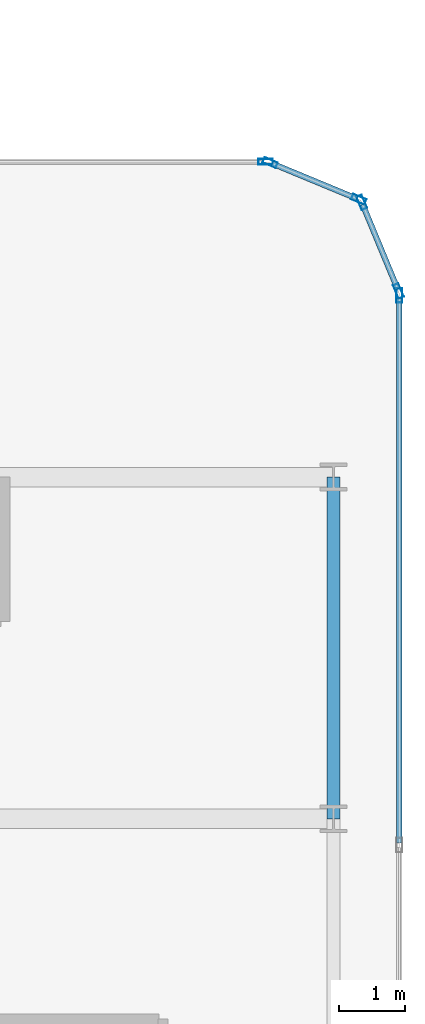
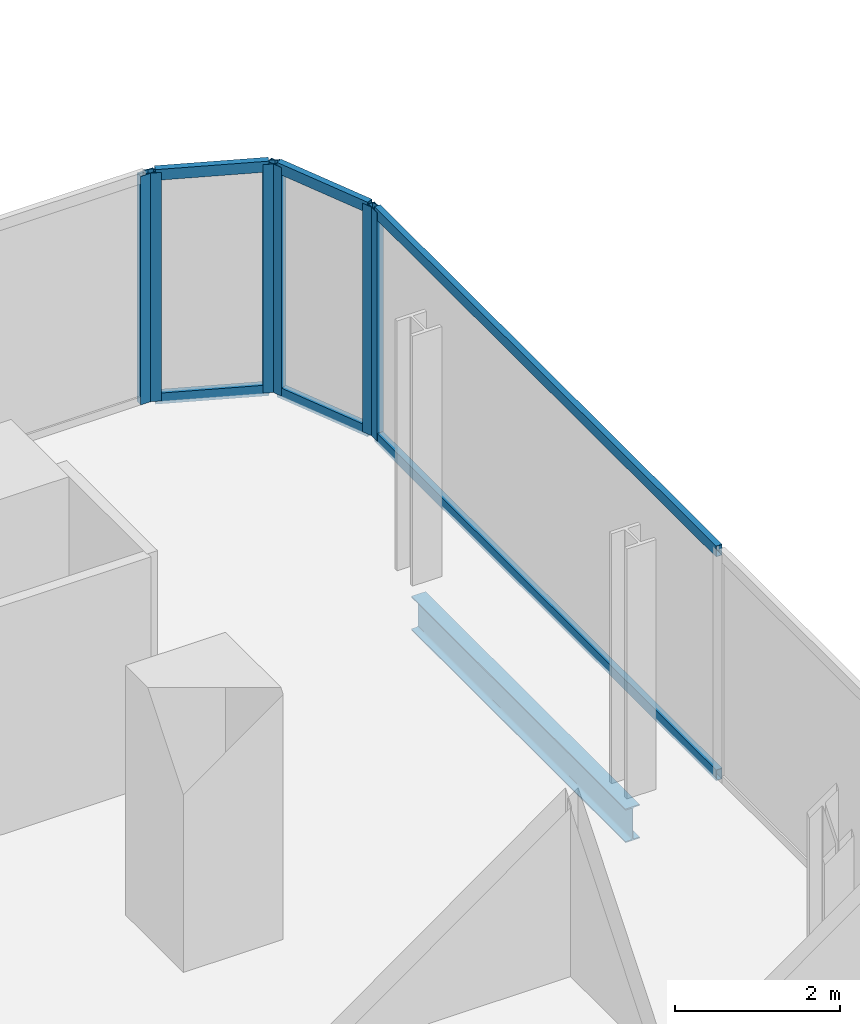
# One storey, part 19 of 33: 12 members, 1 beam, 4 elements without a shape of their own.
"""IFC4 building model written with IfcOpenShell, lengths in metres."""

from ifc_helpers import new_model, si_unit, direction, frame, origin, origin_2d, place, context, subcontext, project, spatial, hollow_rectangle, i_section, extrude, material, layer, layer_set, material_profile, profile_set, type_object, element, aggregate, save


model = new_model("IFC4")

# Units and contexts
model_context = context("Model", 3, precision=1e-05, world=origin(), true_north=direction((0.0, 1.0)))
body_context = subcontext(model_context, "Body", "Model", "MODEL_VIEW")
ifc_project = project(units=[si_unit("LENGTHUNIT", "METRE"), si_unit("AREAUNIT", "SQUARE_METRE"), si_unit("VOLUMEUNIT", "CUBIC_METRE"), si_unit("PLANEANGLEUNIT", "RADIAN"), si_unit("MASSUNIT", "GRAM", prefix="KILO")], contexts=[model_context])

# Site, building, storey
site_placement = place(None, origin())
site = spatial("IfcSite", under=ifc_project, at=site_placement, CompositionType="ELEMENT")
building_placement = place(site_placement, origin())
building = spatial("IfcBuilding", under=site, at=building_placement, Name="Keshet Zoharim Tower", CompositionType="ELEMENT")
storey_placement = place(building_placement, frame((0.0, 0.0, 49.89990234375)))
storey = spatial("IfcBuildingStorey", under=building, at=storey_placement, Name="L11", CompositionType="ELEMENT", Elevation=49.89990234375)

# Beam
ifc_material_1 = material(Name="Steel S355", Category="steel")
ifc_material_profile_1 = material_profile(ifc_material_1, i_section(OverallWidth=0.199951171875, OverallDepth=0.5, WebThickness=0.01025390625, FlangeThickness=0.01611328125, FilletRadius=0.02099609375, at=origin_2d()), Name="IPE500")
ifc_profile_set_1 = profile_set([ifc_material_profile_1], Name="Steel S355")
beam_type = type_object("IfcBeamType", Name="BM-PRI-IP500", PredefinedType="BEAM", material=ifc_profile_set_1)
beam_placement = place(storey_placement, frame((69.0, 22.699951171875, -0.56494140625), z_axis=(0.0, 1.0, 0.0), x_axis=(-1.0, 0.0, 0.0)))
element("IfcBeam", 1, at=beam_placement, inside=storey, type_object=beam_type, Name="L11 Primary Girder Y-025", PredefinedType="BEAM", context=body_context, shape_type="SweptSolid", body=[
    extrude(i_section(OverallWidth=0.199951171875, OverallDepth=0.5, WebThickness=0.01025390625, FlangeThickness=0.01611328125, FilletRadius=0.02099609375, at=origin_2d()), origin(), (0.0, 0.0, 1.0), 5.199951171875),
])

# Curtain wall, member
ifc_material_2 = material(Name="Aluminium 6063-T6", Category="aluminium")
ifc_layer = layer(ifc_material_2, 0.169921875)
ifc_layer_set = layer_set([ifc_layer], Name="Aluminium 6063-T6")
curtain_wall_type = type_object("IfcCurtainWallType", Name="CW-SYS-02", PredefinedType="NOTDEFINED", material=ifc_layer_set)
curtain_wall_1_placement = place(storey_placement, origin())
curtain_wall_1 = element("IfcCurtainWall", 2, at=curtain_wall_1_placement, inside=storey, type_object=curtain_wall_type, Name="L11 Unitised Curtain Wall 13", PredefinedType="NOTDEFINED")
ifc_material_profile_2 = material_profile(ifc_material_2, hollow_rectangle(XDim=0.090087890625, YDim=0.219970703125, WallThickness=0.0048828125, at=origin_2d()), Name="MUL-90x220")
ifc_profile_set_2 = profile_set([ifc_material_profile_2], Name="Aluminium 6063-T6")
member_type_1 = type_object("IfcMemberType", Name="CWM-M22", PredefinedType="MULLION", material=ifc_profile_set_2)
member_1_placement = place(storey_placement, frame((67.965087890625, 32.699951171875, 0.0), z_axis=(0.0, 0.0, 1.0), x_axis=(0.0, 1.0, 0.0)))
member_1 = element("IfcMember", 3, at=member_1_placement, type_object=member_type_1, Name="CW-02 mullion 2", PredefinedType="MULLION", context=body_context, shape_type="SweptSolid", body=[
    extrude(hollow_rectangle(XDim=0.090087890625, YDim=0.219970703125, WallThickness=0.0048828125, at=origin_2d()), origin(), (0.0, 0.0, 1.0), 3.385009765625),
])
aggregate(curtain_wall_1, [member_1])

# Curtain wall, members
curtain_wall_2_placement = place(storey_placement, origin())
curtain_wall_2 = element("IfcCurtainWall", 4, at=curtain_wall_2_placement, inside=storey, type_object=curtain_wall_type, Name="L11 Unitised Curtain Wall 14", PredefinedType="NOTDEFINED")
member_2_placement = place(storey_placement, frame((68.0322265625, 32.6865234375, 0.0), z_axis=(0.0, 0.0, 1.0), x_axis=(0.382851849847, 0.92380975372, 0.0)))
member_2 = element("IfcMember", 5, at=member_2_placement, type_object=member_type_1, Name="CW-02 mullion 1", PredefinedType="MULLION", context=body_context, shape_type="SweptSolid", body=[
    extrude(hollow_rectangle(XDim=0.090087890625, YDim=0.219970703125, WallThickness=0.0048828125, at=origin_2d()), origin(), (0.0, 0.0, 1.0), 3.385009765625),
])
member_3_placement = place(storey_placement, frame((69.381591796875, 32.12744140625, 0.0), z_axis=(0.0, 0.0, 1.0), x_axis=(0.382851849847, 0.92380975372, 0.0)))
member_3 = element("IfcMember", 6, at=member_3_placement, type_object=member_type_1, Name="CW-02 mullion 2", PredefinedType="MULLION", context=body_context, shape_type="SweptSolid", body=[
    extrude(hollow_rectangle(XDim=0.090087890625, YDim=0.219970703125, WallThickness=0.0048828125, at=origin_2d()), origin(), (0.0, 0.0, 1.0), 3.385009765625),
])

curtain_wall_3_placement = place(storey_placement, origin())
curtain_wall_3 = element("IfcCurtainWall", 7, at=curtain_wall_3_placement, inside=storey, type_object=curtain_wall_type, Name="L11 Unitised Curtain Wall 15", PredefinedType="NOTDEFINED")
member_4_placement = place(storey_placement, frame((69.427490234375, 32.081787109375, 0.0), z_axis=(0.0, 0.0, 1.0), x_axis=(0.92380975372, 0.382851849847, 0.0)))
member_4 = element("IfcMember", 8, at=member_4_placement, type_object=member_type_1, Name="CW-02 mullion 1", PredefinedType="MULLION", context=body_context, shape_type="SweptSolid", body=[
    extrude(hollow_rectangle(XDim=0.090087890625, YDim=0.219970703125, WallThickness=0.0048828125, at=origin_2d()), origin(), (0.0, 0.0, 1.0), 3.385009765625),
])
member_5_placement = place(storey_placement, frame((69.986572265625, 30.732421875, 0.0), z_axis=(0.0, 0.0, 1.0), x_axis=(0.92380975372, 0.382851849847, 0.0)))
member_5 = element("IfcMember", 9, at=member_5_placement, type_object=member_type_1, Name="CW-02 mullion 2", PredefinedType="MULLION", context=body_context, shape_type="SweptSolid", body=[
    extrude(hollow_rectangle(XDim=0.090087890625, YDim=0.219970703125, WallThickness=0.0048828125, at=origin_2d()), origin(), (0.0, 0.0, 1.0), 3.385009765625),
])

# Curtain wall, member
curtain_wall_4_placement = place(storey_placement, origin())
curtain_wall_4 = element("IfcCurtainWall", 10, at=curtain_wall_4_placement, inside=storey, type_object=curtain_wall_type, Name="L11 Unitised Curtain Wall 16", PredefinedType="NOTDEFINED")
member_6_placement = place(storey_placement, frame((70.0, 30.6650390625, 0.0), z_axis=(0.0, 0.0, 1.0), x_axis=(1.0, 0.0, 0.0)))
member_6 = element("IfcMember", 11, at=member_6_placement, type_object=member_type_1, Name="CW-02 mullion 1", PredefinedType="MULLION", context=body_context, shape_type="SweptSolid", body=[
    extrude(hollow_rectangle(XDim=0.090087890625, YDim=0.219970703125, WallThickness=0.0048828125, at=origin_2d()), origin(), (0.0, 0.0, 1.0), 3.385009765625),
])

# Member
ifc_material_profile_3 = material_profile(ifc_material_2, hollow_rectangle(XDim=0.0849609375, YDim=0.159912109375, WallThickness=0.00439453125, at=origin_2d()), Name="TRN-85x160")
ifc_profile_set_3 = profile_set([ifc_material_profile_3], Name="Aluminium 6063-T6")
member_type_2 = type_object("IfcMemberType", Name="CWT-T16", PredefinedType="USERDEFINED", material=ifc_profile_set_3)
member_7_placement = place(storey_placement, frame((68.064697265625, 32.673095703125, 0.03515625), z_axis=(0.923854189844, -0.382744609247, 0.0), x_axis=(0.382744609247, 0.923854189844, 0.0)))
member_7 = element("IfcMember", 12, at=member_7_placement, type_object=member_type_2, Name="CW-02 transom 1.1", ObjectType="TRANSOM", PredefinedType="USERDEFINED", context=body_context, shape_type="SweptSolid", body=[
    extrude(hollow_rectangle(XDim=0.0849609375, YDim=0.159912109375, WallThickness=0.00439453125, at=origin_2d()), origin(), (0.0, 0.0, 1.0), 1.390625),
])

member_8_placement = place(storey_placement, frame((68.064697265625, 32.673095703125, 3.35009765625), z_axis=(0.923854189844, -0.382744609247, 0.0), x_axis=(0.382744609247, 0.923854189844, 0.0)))
member_8 = element("IfcMember", 13, at=member_8_placement, type_object=member_type_2, Name="CW-02 transom 1.2", ObjectType="TRANSOM", PredefinedType="USERDEFINED", context=body_context, shape_type="SweptSolid", body=[
    extrude(hollow_rectangle(XDim=0.0849609375, YDim=0.159912109375, WallThickness=0.00439453125, at=origin_2d()), origin(), (0.0, 0.0, 1.0), 1.390625),
])

aggregate(curtain_wall_2, [member_2, member_3, member_7, member_8])

member_9_placement = place(storey_placement, frame((69.44091796875, 32.04931640625, 0.03515625), z_axis=(0.382744609247, -0.923854189844, 0.0), x_axis=(0.923854189844, 0.382744609247, 0.0)))
member_9 = element("IfcMember", 14, at=member_9_placement, type_object=member_type_2, Name="CW-02 transom 1.1", ObjectType="TRANSOM", PredefinedType="USERDEFINED", context=body_context, shape_type="SweptSolid", body=[
    extrude(hollow_rectangle(XDim=0.0849609375, YDim=0.159912109375, WallThickness=0.00439453125, at=origin_2d()), origin(), (0.0, 0.0, 1.0), 1.390625),
])

member_10_placement = place(storey_placement, frame((69.44091796875, 32.04931640625, 3.35009765625), z_axis=(0.382744609247, -0.923854189844, 0.0), x_axis=(0.923854189844, 0.382744609247, 0.0)))
member_10 = element("IfcMember", 15, at=member_10_placement, type_object=member_type_2, Name="CW-02 transom 1.2", ObjectType="TRANSOM", PredefinedType="USERDEFINED", context=body_context, shape_type="SweptSolid", body=[
    extrude(hollow_rectangle(XDim=0.0849609375, YDim=0.159912109375, WallThickness=0.00439453125, at=origin_2d()), origin(), (0.0, 0.0, 1.0), 1.390625),
])

aggregate(curtain_wall_3, [member_4, member_5, member_9, member_10])

member_11_placement = place(storey_placement, frame((70.0, 30.6298828125, 0.03515625), z_axis=(0.0, -1.0, 0.0), x_axis=(1.0, 0.0, 0.0)))
member_11 = element("IfcMember", 16, at=member_11_placement, type_object=member_type_2, Name="CW-02 transom 1.1", ObjectType="TRANSOM", PredefinedType="USERDEFINED", context=body_context, shape_type="SweptSolid", body=[
    extrude(hollow_rectangle(XDim=0.0849609375, YDim=0.159912109375, WallThickness=0.00439453125, at=origin_2d()), origin(), (0.0, 0.0, 1.0), 8.29638671875),
])

member_12_placement = place(storey_placement, frame((70.0, 30.6298828125, 3.35009765625), z_axis=(0.0, -1.0, 0.0), x_axis=(1.0, 0.0, 0.0)))
member_12 = element("IfcMember", 17, at=member_12_placement, type_object=member_type_2, Name="CW-02 transom 1.2", ObjectType="TRANSOM", PredefinedType="USERDEFINED", context=body_context, shape_type="SweptSolid", body=[
    extrude(hollow_rectangle(XDim=0.0849609375, YDim=0.159912109375, WallThickness=0.00439453125, at=origin_2d()), origin(), (0.0, 0.0, 1.0), 8.29638671875),
])

aggregate(curtain_wall_4, [member_6, member_11, member_12])

save(model, "model.ifc")
